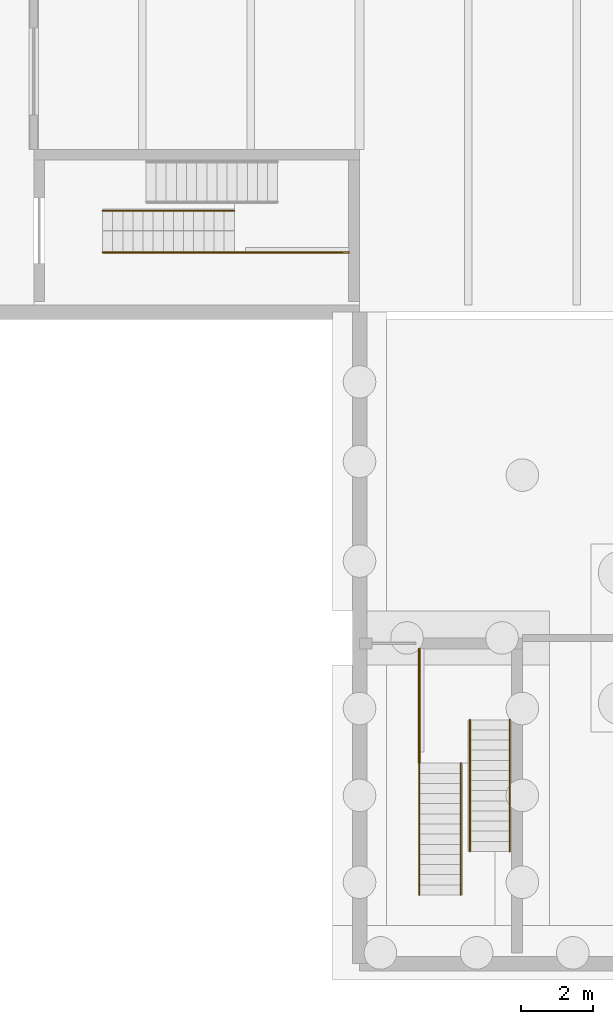
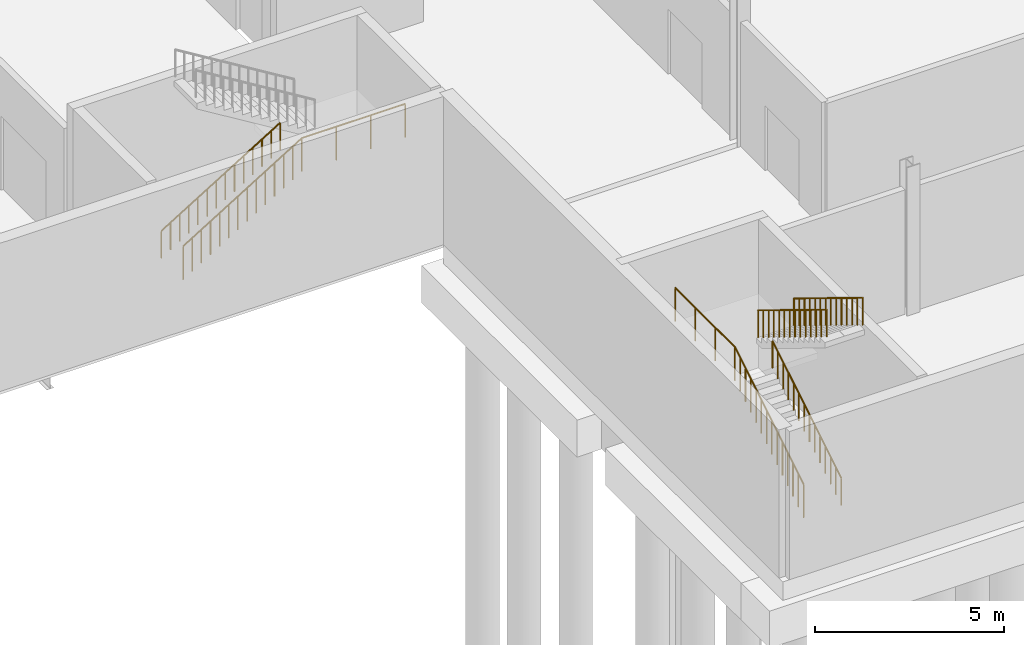
# One storey, part 27 of 31: 8 railings.
"""IFC4 building model written with IfcOpenShell, lengths in metres."""

import ifcopenshell
import ifcopenshell.guid

model = None  # the IFC model being written
_history = None  # IfcOwnerHistory: only IFC2X3 demands one
_inside = {}  # id of a spatial element -> (the spatial element, [elements in it])
_under = {}  # id of a project, library or spatial element -> (it, [spatial elements below it])
_declared = {}  # id of a project -> (the project, [libraries it declares])
_typed = {}  # id of a type object -> (the type object, [elements of that type])
_made_of = {}  # id of a material, layer set ... -> (it, [elements and type objects made of it])


def new_model(schema):
    """Start an empty IFC model of exactly this schema.

    Asked for "IFC4X3", IfcOpenShell would pick the latest addendum, in which some entities
    have other attributes; the version numbers below select the first issue.
    IFC2X3 requires an IfcOwnerHistory on every rooted entity: one is made here for all.
    """
    global model, _history
    if schema == "IFC4X3":
        model = ifcopenshell.file(schema_version=(4, 3, 0, 0))
    else:
        model = ifcopenshell.file(schema=schema)
    _inside.clear()
    _under.clear()
    _declared.clear()
    _typed.clear()
    _made_of.clear()
    _history = None
    if model.schema == "IFC2X3":
        org = make("IfcOrganization", Name="unknown")
        user = make(
            "IfcPersonAndOrganization",
            ThePerson=make("IfcPerson", FamilyName="unknown"),
            TheOrganization=org,
        )
        app = make(
            "IfcApplication",
            ApplicationDeveloper=org,
            Version="unknown",
            ApplicationFullName="unknown",
            ApplicationIdentifier="unknown",
        )
        _history = make(
            "IfcOwnerHistory",
            OwningUser=user,
            OwningApplication=app,
            ChangeAction="ADDED",
            CreationDate=0,
        )
    return model


def make(cls, **values):
    """One entity of the class cls with the attributes given. An attribute that is None is left unset."""
    return model.create_entity(
        cls, **{name: value for name, value in values.items() if value is not None}
    )


def rooted(cls, **values):
    """An entity with a GlobalId (a new one), such as an element, a storey or a relation."""
    return make(cls, GlobalId=ifcopenshell.guid.new(), OwnerHistory=_history, **values)


def si_unit(unit_type, name, prefix=None):
    """IfcSIUnit, for example si_unit("LENGTHUNIT", "METRE", prefix="MILLI")."""
    return make("IfcSIUnit", UnitType=unit_type, Prefix=prefix, Name=name)


def assignment(units):
    """IfcUnitAssignment: the units of a project."""
    return None if units is None else make("IfcUnitAssignment", Units=units)


def point(xyz):
    """IfcCartesianPoint."""
    return None if xyz is None else make("IfcCartesianPoint", Coordinates=xyz)


def direction(xyz):
    """IfcDirection."""
    return None if xyz is None else make("IfcDirection", DirectionRatios=xyz)


def frame(location, z_axis=None, x_axis=None):
    """IfcAxis2Placement3D, a coordinate frame: its origin and axes. An axis left out is left unset."""
    return make(
        "IfcAxis2Placement3D",
        Location=point(location),
        Axis=direction(z_axis),
        RefDirection=direction(x_axis),
    )


def frame_2d(location, x_axis=None):
    """IfcAxis2Placement2D, a coordinate frame in the plane: its origin and x axis."""
    return make(
        "IfcAxis2Placement2D", Location=point(location), RefDirection=direction(x_axis)
    )


def origin():
    """The frame at (0, 0, 0) with its axes left unset."""
    return frame((0.0, 0.0, 0.0))


def origin_2d():
    """The frame at (0, 0) in the plane with its x axis left unset."""
    return frame_2d((0.0, 0.0))


def place(relative_to, where):
    """IfcLocalPlacement: puts the frame where relative to a parent placement (None: the world)."""
    return make(
        "IfcLocalPlacement", PlacementRelTo=relative_to, RelativePlacement=where
    )


def context(
    kind, dimensions, precision=None, world=None, true_north=None, identifier=None
):
    """IfcGeometricRepresentationContext, for example the 3D "Model" context."""
    return make(
        "IfcGeometricRepresentationContext",
        ContextIdentifier=identifier,
        ContextType=kind,
        CoordinateSpaceDimension=dimensions,
        Precision=precision,
        WorldCoordinateSystem=world,
        TrueNorth=true_north,
    )


def subcontext(parent, identifier, kind, view, scale=None):
    """IfcGeometricRepresentationSubContext, for example "Body" below "Model"."""
    return make(
        "IfcGeometricRepresentationSubContext",
        ContextIdentifier=identifier,
        ContextType=kind,
        ParentContext=parent,
        TargetScale=scale,
        TargetView=view,
    )


def project(units=None, contexts=None):
    """IfcProject with its units and contexts."""
    return rooted(
        "IfcProject",
        Name="project",
        RepresentationContexts=contexts,
        UnitsInContext=assignment(units),
    )


def spatial(cls, under=None, at=None, **own):
    """A site, building, storey or space (cls), placed at a placement, below another one or the project."""
    s = rooted(cls, ObjectPlacement=at, **own)
    if under is not None:
        _under.setdefault(under.id(), (under, []))[1].append(s)
    return s


def profile(cls, at=None, kind="AREA", **sizes):
    """A parametric profile (cls). Its sizes go by their IFC names, for example OverallWidth=200.0."""
    return make(cls, ProfileType=kind, Position=at, **sizes)


def circle(**sizes):
    """IfcCircleProfileDef."""
    return profile("IfcCircleProfileDef", **sizes)


def extrude(swept, where, along, depth):
    """IfcExtrudedAreaSolid: the profile swept, set in the frame where, extruded along a direction by depth."""
    return make(
        "IfcExtrudedAreaSolid",
        SweptArea=swept,
        Position=where,
        ExtrudedDirection=direction(along),
        Depth=depth,
    )


def shape(context_of_items, identifier, shape_type, items):
    """IfcShapeRepresentation: the items that make up one representation, for example the "Body"."""
    return make(
        "IfcShapeRepresentation",
        ContextOfItems=context_of_items,
        RepresentationIdentifier=identifier,
        RepresentationType=shape_type,
        Items=items,
    )


def material(Name=None, Category=None):
    """IfcMaterial."""
    return make("IfcMaterial", Name=Name, Category=Category)


def made_of(thing, what):
    """Note that an element or type object is made of a material, layer set ...; save() writes the relation."""
    if what is not None:
        _made_of.setdefault(what.id(), (what, []))[1].append(thing)
    return thing


def type_object(cls, material=None, **own):
    """A type object (cls), such as IfcWallType, which elements share."""
    return made_of(rooted(cls, **own), material)


def element(
    cls,
    number,
    at=None,
    inside=None,
    cuts=None,
    type_object=None,
    material=None,
    context=None,
    identifier="Body",
    shape_type=None,
    held_by="IfcProductDefinitionShape",
    body=None,
    shapes=None,
    **own,
):
    """One element of the class cls, such as IfcWall. Its Tag is "e" and its number.

    at: its placement. inside: the storey or other place that contains it. cuts: it is an
    opening in that element (IfcRelVoidsElement). A single representation is given by context,
    identifier, shape_type and body (its items); several are given by shapes. held_by: the class
    of the entity that holds the representations. save() writes the other relations.
    """
    e = rooted(cls, Tag="e%d" % number, ObjectPlacement=at, **own)
    if body is not None:
        shapes = [shape(context, identifier, shape_type, body)]
    if shapes is not None:
        e.Representation = make(held_by, Representations=shapes)
    if inside is not None:
        _inside.setdefault(inside.id(), (inside, []))[1].append(e)
    if cuts is not None:
        rooted(
            "IfcRelVoidsElement", RelatingBuildingElement=cuts, RelatedOpeningElement=e
        )
    if type_object is not None:
        _typed.setdefault(type_object.id(), (type_object, []))[1].append(e)
    return made_of(e, material)


def aggregate(whole, parts):
    """IfcRelAggregates: a whole, such as a stair, and the parts it consists of."""
    return rooted("IfcRelAggregates", RelatingObject=whole, RelatedObjects=parts)


def save(model, path):
    """Write the relations noted so far, then the file.

    IfcRelAggregates (storeys below a building ...), IfcRelContainedInSpatialStructure (elements
    in a storey), IfcRelDefinesByType, IfcRelAssociatesMaterial and IfcRelDeclares: one each for
    every whole, place, type object, material and project.
    """
    for whole, parts in _under.values():
        aggregate(whole, parts)
    for where, things in _inside.values():
        rooted(
            "IfcRelContainedInSpatialStructure",
            RelatedElements=things,
            RelatingStructure=where,
        )
    for kind, things in _typed.values():
        rooted("IfcRelDefinesByType", RelatedObjects=things, RelatingType=kind)
    for what, things in _made_of.values():
        rooted("IfcRelAssociatesMaterial", RelatedObjects=things, RelatingMaterial=what)
    for by, libraries in _declared.values():
        rooted("IfcRelDeclares", RelatingContext=by, RelatedDefinitions=libraries)
    model.write(path)


model = new_model("IFC4")

# Units and contexts
model_context = context("Model", 3, precision=1e-05, world=origin(), true_north=direction((0.0, 1.0)))
body_context = subcontext(model_context, "Body", "Model", "MODEL_VIEW")
ifc_project = project(units=[si_unit("LENGTHUNIT", "METRE"), si_unit("AREAUNIT", "SQUARE_METRE"), si_unit("VOLUMEUNIT", "CUBIC_METRE"), si_unit("PLANEANGLEUNIT", "RADIAN"), si_unit("MASSUNIT", "GRAM", prefix="KILO")], contexts=[model_context])

# Site, building, storey
site_placement = place(None, origin())
site = spatial("IfcSite", under=ifc_project, at=site_placement, CompositionType="ELEMENT")
building_placement = place(site_placement, origin())
building = spatial("IfcBuilding", under=site, at=building_placement, Name="Halyard Row Museum", CompositionType="ELEMENT")
storey_placement = place(building_placement, frame((0.0, 0.0, -4.800048828125)))
storey = spatial("IfcBuildingStorey", under=building, at=storey_placement, Name="B1", CompositionType="ELEMENT", Elevation=-4.800048828125)

# Railings
ifc_material_1 = material(Name="Steel Grade 300", Category="steel")
railing_type_1 = type_object("IfcRailingType", Name="Guard GR2 steel balustrade 1100", PredefinedType="GUARDRAIL", material=ifc_material_1)
railing_1_placement = place(storey_placement, frame((64.89990234375, 19.64990234375, 0.17138671875)))
element("IfcRailing", 1, at=railing_1_placement, inside=storey, type_object=railing_type_1, Name="Guard GR019", PredefinedType="GUARDRAIL", context=body_context, shape_type="SweptSolid", body=[
    extrude(circle(Radius=0.02392578125, at=origin_2d()), frame((0.0, 0.0, 1.076171875), z_axis=(0.852601252411, 0.0, 0.522562057929), x_axis=(0.0, 1.0, 0.0)), (0.0, 0.0, 1.0), 0.328369140625),
    extrude(circle(Radius=0.02392578125, at=origin_2d()), frame((0.280029296875, 0.0, 1.24755859375), z_axis=(0.852932391421, 0.0, 0.522021393877), x_axis=(0.0, 1.0, 0.0)), (0.0, 0.0, 1.0), 0.328369140625),
    extrude(circle(Radius=0.02392578125, at=origin_2d()), frame((0.56005859375, 0.0, 1.4189453125), z_axis=(0.852932391421, 0.0, 0.522021393877), x_axis=(0.0, 1.0, 0.0)), (0.0, 0.0, 1.0), 0.328369140625),
    extrude(circle(Radius=0.02392578125, at=origin_2d()), frame((0.840087890625, 0.0, 1.59033203125), z_axis=(0.852932391421, 0.0, 0.522021393877), x_axis=(0.0, 1.0, 0.0)), (0.0, 0.0, 1.0), 0.328369140625),
    extrude(circle(Radius=0.02392578125, at=origin_2d()), frame((1.1201171875, 0.0, 1.76171875), z_axis=(0.852932391421, 0.0, 0.522021393877), x_axis=(0.0, 1.0, 0.0)), (0.0, 0.0, 1.0), 0.328369140625),
    extrude(circle(Radius=0.02392578125, at=origin_2d()), frame((1.400146484375, 0.0, 1.93310546875), z_axis=(0.852932391421, 0.0, 0.522021393877), x_axis=(0.0, 1.0, 0.0)), (0.0, 0.0, 1.0), 0.328369140625),
    extrude(circle(Radius=0.02392578125, at=origin_2d()), frame((1.68017578125, 0.0, 2.1044921875), z_axis=(0.852601252411, 0.0, 0.522562057929), x_axis=(0.0, 1.0, 0.0)), (0.0, 0.0, 1.0), 0.328369140625),
    extrude(circle(Radius=0.02392578125, at=origin_2d()), frame((1.960205078125, 0.0, 2.2763671875), z_axis=(0.852729557261, 0.0, 0.522352660731), x_axis=(0.0, 1.0, 0.0)), (0.0, 0.0, 1.0), 0.328125),
    extrude(circle(Radius=0.02392578125, at=origin_2d()), frame((2.239990234375, 0.0, 2.44775390625), z_axis=(0.852932391421, 0.0, 0.522021393877), x_axis=(0.0, 1.0, 0.0)), (0.0, 0.0, 1.0), 0.328369140625),
    extrude(circle(Radius=0.02392578125, at=origin_2d()), frame((2.52001953125, 0.0, 2.619140625), z_axis=(0.852932391421, 0.0, 0.522021393877), x_axis=(0.0, 1.0, 0.0)), (0.0, 0.0, 1.0), 0.328369140625),
    extrude(circle(Radius=0.02392578125, at=origin_2d()), frame((2.800048828125, 0.0, 2.79052734375), z_axis=(0.852932391421, 0.0, 0.522021393877), x_axis=(0.0, 1.0, 0.0)), (0.0, 0.0, 1.0), 0.328369140625),
    extrude(circle(Radius=0.02392578125, at=origin_2d()), frame((3.080078125, 0.0, 2.9619140625), z_axis=(0.852932391421, 0.0, 0.522021393877), x_axis=(0.0, 1.0, 0.0)), (0.0, 0.0, 1.0), 0.328369140625),
    extrude(circle(Radius=0.02392578125, at=origin_2d()), frame((3.360107421875, 0.0, 3.13330078125), z_axis=(0.852601252411, 0.0, 0.522562057929), x_axis=(0.0, 1.0, 0.0)), (0.0, 0.0, 1.0), 0.328369140625),
    extrude(circle(Radius=0.02099609375, at=origin_2d()), origin(), (0.0, 0.0, 1.0), 1.052001953125),
    extrude(circle(Radius=0.02099609375, at=origin_2d()), frame((0.280029296875, 0.0, 0.171630859375)), (0.0, 0.0, 1.0), 1.052001953125),
    extrude(circle(Radius=0.02099609375, at=origin_2d()), frame((0.56005859375, 0.0, 0.343017578125)), (0.0, 0.0, 1.0), 1.052001953125),
    extrude(circle(Radius=0.02099609375, at=origin_2d()), frame((0.840087890625, 0.0, 0.514404296875)), (0.0, 0.0, 1.0), 1.052001953125),
    extrude(circle(Radius=0.02099609375, at=origin_2d()), frame((1.1201171875, 0.0, 0.685791015625)), (0.0, 0.0, 1.0), 1.052001953125),
    extrude(circle(Radius=0.02099609375, at=origin_2d()), frame((1.400146484375, 0.0, 0.857177734375)), (0.0, 0.0, 1.0), 1.052001953125),
    extrude(circle(Radius=0.02099609375, at=origin_2d()), frame((1.68017578125, 0.0, 1.028564453125)), (0.0, 0.0, 1.0), 1.052001953125),
    extrude(circle(Radius=0.02099609375, at=origin_2d()), frame((1.960205078125, 0.0, 1.2001953125)), (0.0, 0.0, 1.0), 1.052001953125),
    extrude(circle(Radius=0.02099609375, at=origin_2d()), frame((2.239990234375, 0.0, 1.37158203125)), (0.0, 0.0, 1.0), 1.052001953125),
    extrude(circle(Radius=0.02099609375, at=origin_2d()), frame((2.52001953125, 0.0, 1.54296875)), (0.0, 0.0, 1.0), 1.052001953125),
    extrude(circle(Radius=0.02099609375, at=origin_2d()), frame((2.800048828125, 0.0, 1.71435546875)), (0.0, 0.0, 1.0), 1.052001953125),
    extrude(circle(Radius=0.02099609375, at=origin_2d()), frame((3.080078125, 0.0, 1.8857421875)), (0.0, 0.0, 1.0), 1.052001953125),
    extrude(circle(Radius=0.02099609375, at=origin_2d()), frame((3.360107421875, 0.0, 2.05712890625)), (0.0, 0.0, 1.0), 1.052001953125),
    extrude(circle(Radius=0.02099609375, at=origin_2d()), frame((3.64013671875, 0.0, 2.228759765625)), (0.0, 0.0, 1.0), 1.052001953125),
])
railing_2_placement = place(storey_placement, frame((68.5400390625, 19.64990234375, 2.400146484375)))
element("IfcRailing", 2, at=railing_2_placement, inside=storey, type_object=railing_type_1, Name="Guard GR020", PredefinedType="GUARDRAIL", context=body_context, shape_type="SweptSolid", body=[
    extrude(circle(Radius=0.02392578125, at=origin_2d()), frame((0.0, 0.0, 1.076171875), z_axis=(1.0, 0.0, 0.0), x_axis=(0.0, 1.0, 0.0)), (0.0, 0.0, 1.0), 3.159912109375),
    extrude(circle(Radius=0.02099609375, at=origin_2d()), origin(), (0.0, 0.0, 1.0), 1.052001953125),
    extrude(circle(Radius=0.02099609375, at=origin_2d()), frame((1.05322265625, 0.0, 0.0)), (0.0, 0.0, 1.0), 1.052001953125),
    extrude(circle(Radius=0.02099609375, at=origin_2d()), frame((2.106689453125, 0.0, 0.0)), (0.0, 0.0, 1.0), 1.052001953125),
    extrude(circle(Radius=0.02099609375, at=origin_2d()), frame((3.159912109375, 0.0, 0.0)), (0.0, 0.0, 1.0), 1.052001953125),
])
railing_3_placement = place(storey_placement, frame((73.64990234375, 1.89990234375, 0.17138671875)))
element("IfcRailing", 3, at=railing_3_placement, inside=storey, type_object=railing_type_1, Name="Guard GR037", PredefinedType="GUARDRAIL", context=body_context, shape_type="SweptSolid", body=[
    extrude(circle(Radius=0.02392578125, at=origin_2d()), frame((0.0, 0.0, 1.076171875), z_axis=(0.0, 0.852601252411, 0.522562057929), x_axis=(-1.0, 0.0, 0.0)), (0.0, 0.0, 1.0), 0.328369140625),
    extrude(circle(Radius=0.02392578125, at=origin_2d()), frame((0.0, 0.280029296875, 1.24755859375), z_axis=(0.0, 0.852932391421, 0.522021393877), x_axis=(-1.0, 0.0, 0.0)), (0.0, 0.0, 1.0), 0.328369140625),
    extrude(circle(Radius=0.02392578125, at=origin_2d()), frame((0.0, 0.56005859375, 1.4189453125), z_axis=(0.0, 0.852932391421, 0.522021393877), x_axis=(-1.0, 0.0, 0.0)), (0.0, 0.0, 1.0), 0.328369140625),
    extrude(circle(Radius=0.02392578125, at=origin_2d()), frame((0.0, 0.840087890625, 1.59033203125), z_axis=(0.0, 0.852932391421, 0.522021393877), x_axis=(-1.0, 0.0, 0.0)), (0.0, 0.0, 1.0), 0.328369140625),
    extrude(circle(Radius=0.02392578125, at=origin_2d()), frame((0.0, 1.1201171875, 1.76171875), z_axis=(0.0, 0.852932391421, 0.522021393877), x_axis=(-1.0, 0.0, 0.0)), (0.0, 0.0, 1.0), 0.328369140625),
    extrude(circle(Radius=0.02392578125, at=origin_2d()), frame((0.0, 1.400146484375, 1.93310546875), z_axis=(0.0, 0.852932391421, 0.522021393877), x_axis=(-1.0, 0.0, 0.0)), (0.0, 0.0, 1.0), 0.328369140625),
    extrude(circle(Radius=0.02392578125, at=origin_2d()), frame((0.0, 1.68017578125, 2.1044921875), z_axis=(0.0, 0.852601252411, 0.522562057929), x_axis=(-1.0, 0.0, 0.0)), (0.0, 0.0, 1.0), 0.328369140625),
    extrude(circle(Radius=0.02392578125, at=origin_2d()), frame((0.0, 1.960205078125, 2.2763671875), z_axis=(0.0, 0.852729557261, 0.522352660731), x_axis=(-1.0, 0.0, 0.0)), (0.0, 0.0, 1.0), 0.328125),
    extrude(circle(Radius=0.02392578125, at=origin_2d()), frame((0.0, 2.239990234375, 2.44775390625), z_axis=(0.0, 0.852932391421, 0.522021393877), x_axis=(-1.0, 0.0, 0.0)), (0.0, 0.0, 1.0), 0.328369140625),
    extrude(circle(Radius=0.02392578125, at=origin_2d()), frame((0.0, 2.52001953125, 2.619140625), z_axis=(0.0, 0.852932391421, 0.522021393877), x_axis=(-1.0, 0.0, 0.0)), (0.0, 0.0, 1.0), 0.328369140625),
    extrude(circle(Radius=0.02392578125, at=origin_2d()), frame((0.0, 2.800048828125, 2.79052734375), z_axis=(0.0, 0.852932391421, 0.522021393877), x_axis=(-1.0, 0.0, 0.0)), (0.0, 0.0, 1.0), 0.328369140625),
    extrude(circle(Radius=0.02392578125, at=origin_2d()), frame((0.0, 3.080078125, 2.9619140625), z_axis=(0.0, 0.852932391421, 0.522021393877), x_axis=(-1.0, 0.0, 0.0)), (0.0, 0.0, 1.0), 0.328369140625),
    extrude(circle(Radius=0.02392578125, at=origin_2d()), frame((0.0, 3.360107421875, 3.13330078125), z_axis=(0.0, 0.852601252411, 0.522562057929), x_axis=(-1.0, 0.0, 0.0)), (0.0, 0.0, 1.0), 0.328369140625),
    extrude(circle(Radius=0.02099609375, at=origin_2d()), origin(), (0.0, 0.0, 1.0), 1.052001953125),
    extrude(circle(Radius=0.02099609375, at=origin_2d()), frame((0.0, 0.280029296875, 0.171630859375)), (0.0, 0.0, 1.0), 1.052001953125),
    extrude(circle(Radius=0.02099609375, at=origin_2d()), frame((0.0, 0.56005859375, 0.343017578125)), (0.0, 0.0, 1.0), 1.052001953125),
    extrude(circle(Radius=0.02099609375, at=origin_2d()), frame((0.0, 0.840087890625, 0.514404296875)), (0.0, 0.0, 1.0), 1.052001953125),
    extrude(circle(Radius=0.02099609375, at=origin_2d()), frame((0.0, 1.1201171875, 0.685791015625)), (0.0, 0.0, 1.0), 1.052001953125),
    extrude(circle(Radius=0.02099609375, at=origin_2d()), frame((0.0, 1.400146484375, 0.857177734375)), (0.0, 0.0, 1.0), 1.052001953125),
    extrude(circle(Radius=0.02099609375, at=origin_2d()), frame((0.0, 1.68017578125, 1.028564453125)), (0.0, 0.0, 1.0), 1.052001953125),
    extrude(circle(Radius=0.02099609375, at=origin_2d()), frame((0.0, 1.960205078125, 1.2001953125)), (0.0, 0.0, 1.0), 1.052001953125),
    extrude(circle(Radius=0.02099609375, at=origin_2d()), frame((0.0, 2.239990234375, 1.37158203125)), (0.0, 0.0, 1.0), 1.052001953125),
    extrude(circle(Radius=0.02099609375, at=origin_2d()), frame((0.0, 2.52001953125, 1.54296875)), (0.0, 0.0, 1.0), 1.052001953125),
    extrude(circle(Radius=0.02099609375, at=origin_2d()), frame((0.0, 2.800048828125, 1.71435546875)), (0.0, 0.0, 1.0), 1.052001953125),
    extrude(circle(Radius=0.02099609375, at=origin_2d()), frame((0.0, 3.080078125, 1.8857421875)), (0.0, 0.0, 1.0), 1.052001953125),
    extrude(circle(Radius=0.02099609375, at=origin_2d()), frame((0.0, 3.360107421875, 2.05712890625)), (0.0, 0.0, 1.0), 1.052001953125),
    extrude(circle(Radius=0.02099609375, at=origin_2d()), frame((0.0, 3.64013671875, 2.228759765625)), (0.0, 0.0, 1.0), 1.052001953125),
])
railing_4_placement = place(storey_placement, frame((73.64990234375, 5.5400390625, 2.400146484375)))
element("IfcRailing", 4, at=railing_4_placement, inside=storey, type_object=railing_type_1, Name="Guard GR038", PredefinedType="GUARDRAIL", context=body_context, shape_type="SweptSolid", body=[
    extrude(circle(Radius=0.02392578125, at=origin_2d()), frame((0.0, 0.0, 1.076171875), z_axis=(0.0, 1.0, 0.0), x_axis=(-1.0, 0.0, 0.0)), (0.0, 0.0, 1.0), 3.159912109375),
    extrude(circle(Radius=0.02099609375, at=origin_2d()), origin(), (0.0, 0.0, 1.0), 1.052001953125),
    extrude(circle(Radius=0.02099609375, at=origin_2d()), frame((0.0, 1.05322265625, 0.0)), (0.0, 0.0, 1.0), 1.052001953125),
    extrude(circle(Radius=0.02099609375, at=origin_2d()), frame((0.0, 2.106689453125, 0.0)), (0.0, 0.0, 1.0), 1.052001953125),
    extrude(circle(Radius=0.02099609375, at=origin_2d()), frame((0.0, 3.159912109375, 0.0)), (0.0, 0.0, 1.0), 1.052001953125),
])
ifc_material_2 = material(Name="Steel Grade 300", Category="steel")
railing_type_2 = type_object("IfcRailingType", Name="Handrail HR2 steel 900", PredefinedType="HANDRAIL", material=ifc_material_2)
railing_5_placement = place(storey_placement, frame((64.89990234375, 20.800048828125, 0.17138671875)))
element("IfcRailing", 5, at=railing_5_placement, inside=storey, type_object=railing_type_2, Name="Handrail HR028", PredefinedType="HANDRAIL", context=body_context, shape_type="SweptSolid", body=[
    extrude(circle(Radius=0.02392578125, at=origin_2d()), frame((0.0, 0.0, 0.8759765625), z_axis=(0.852601252411, 0.0, 0.522562057929), x_axis=(0.0, 1.0, 0.0)), (0.0, 0.0, 1.0), 0.328369140625),
    extrude(circle(Radius=0.02392578125, at=origin_2d()), frame((0.280029296875, 0.0, 1.04736328125), z_axis=(0.852932391421, 0.0, 0.522021393877), x_axis=(0.0, 1.0, 0.0)), (0.0, 0.0, 1.0), 0.328369140625),
    extrude(circle(Radius=0.02392578125, at=origin_2d()), frame((0.56005859375, 0.0, 1.21875), z_axis=(0.852932391421, 0.0, 0.522021393877), x_axis=(0.0, 1.0, 0.0)), (0.0, 0.0, 1.0), 0.328369140625),
    extrude(circle(Radius=0.02392578125, at=origin_2d()), frame((0.840087890625, 0.0, 1.39013671875), z_axis=(0.852932391421, 0.0, 0.522021393877), x_axis=(0.0, 1.0, 0.0)), (0.0, 0.0, 1.0), 0.328369140625),
    extrude(circle(Radius=0.02392578125, at=origin_2d()), frame((1.1201171875, 0.0, 1.5615234375), z_axis=(0.852932391421, 0.0, 0.522021393877), x_axis=(0.0, 1.0, 0.0)), (0.0, 0.0, 1.0), 0.328369140625),
    extrude(circle(Radius=0.02392578125, at=origin_2d()), frame((1.400146484375, 0.0, 1.73291015625), z_axis=(0.852932391421, 0.0, 0.522021393877), x_axis=(0.0, 1.0, 0.0)), (0.0, 0.0, 1.0), 0.328369140625),
    extrude(circle(Radius=0.02392578125, at=origin_2d()), frame((1.68017578125, 0.0, 1.904296875), z_axis=(0.852601252411, 0.0, 0.522562057929), x_axis=(0.0, 1.0, 0.0)), (0.0, 0.0, 1.0), 0.328369140625),
    extrude(circle(Radius=0.02392578125, at=origin_2d()), frame((1.960205078125, 0.0, 2.076171875), z_axis=(0.852729557261, 0.0, 0.522352660731), x_axis=(0.0, 1.0, 0.0)), (0.0, 0.0, 1.0), 0.328125),
    extrude(circle(Radius=0.02392578125, at=origin_2d()), frame((2.239990234375, 0.0, 2.24755859375), z_axis=(0.852932391421, 0.0, 0.522021393877), x_axis=(0.0, 1.0, 0.0)), (0.0, 0.0, 1.0), 0.328369140625),
    extrude(circle(Radius=0.02392578125, at=origin_2d()), frame((2.52001953125, 0.0, 2.4189453125), z_axis=(0.852932391421, 0.0, 0.522021393877), x_axis=(0.0, 1.0, 0.0)), (0.0, 0.0, 1.0), 0.328369140625),
    extrude(circle(Radius=0.02392578125, at=origin_2d()), frame((2.800048828125, 0.0, 2.59033203125), z_axis=(0.852932391421, 0.0, 0.522021393877), x_axis=(0.0, 1.0, 0.0)), (0.0, 0.0, 1.0), 0.328369140625),
    extrude(circle(Radius=0.02392578125, at=origin_2d()), frame((3.080078125, 0.0, 2.76171875), z_axis=(0.852932391421, 0.0, 0.522021393877), x_axis=(0.0, 1.0, 0.0)), (0.0, 0.0, 1.0), 0.328369140625),
    extrude(circle(Radius=0.02392578125, at=origin_2d()), frame((3.360107421875, 0.0, 2.93310546875), z_axis=(0.852601252411, 0.0, 0.522562057929), x_axis=(0.0, 1.0, 0.0)), (0.0, 0.0, 1.0), 0.328369140625),
    extrude(circle(Radius=0.02099609375, at=origin_2d()), origin(), (0.0, 0.0, 1.0), 0.851806640625),
    extrude(circle(Radius=0.02099609375, at=origin_2d()), frame((0.280029296875, 0.0, 0.171630859375)), (0.0, 0.0, 1.0), 0.851806640625),
    extrude(circle(Radius=0.02099609375, at=origin_2d()), frame((0.56005859375, 0.0, 0.343017578125)), (0.0, 0.0, 1.0), 0.851806640625),
    extrude(circle(Radius=0.02099609375, at=origin_2d()), frame((0.840087890625, 0.0, 0.514404296875)), (0.0, 0.0, 1.0), 0.851806640625),
    extrude(circle(Radius=0.02099609375, at=origin_2d()), frame((1.1201171875, 0.0, 0.685791015625)), (0.0, 0.0, 1.0), 0.851806640625),
    extrude(circle(Radius=0.02099609375, at=origin_2d()), frame((1.400146484375, 0.0, 0.857177734375)), (0.0, 0.0, 1.0), 0.851806640625),
    extrude(circle(Radius=0.02099609375, at=origin_2d()), frame((1.68017578125, 0.0, 1.028564453125)), (0.0, 0.0, 1.0), 0.851806640625),
    extrude(circle(Radius=0.02099609375, at=origin_2d()), frame((1.960205078125, 0.0, 1.2001953125)), (0.0, 0.0, 1.0), 0.851806640625),
    extrude(circle(Radius=0.02099609375, at=origin_2d()), frame((2.239990234375, 0.0, 1.37158203125)), (0.0, 0.0, 1.0), 0.851806640625),
    extrude(circle(Radius=0.02099609375, at=origin_2d()), frame((2.52001953125, 0.0, 1.54296875)), (0.0, 0.0, 1.0), 0.851806640625),
    extrude(circle(Radius=0.02099609375, at=origin_2d()), frame((2.800048828125, 0.0, 1.71435546875)), (0.0, 0.0, 1.0), 0.851806640625),
    extrude(circle(Radius=0.02099609375, at=origin_2d()), frame((3.080078125, 0.0, 1.8857421875)), (0.0, 0.0, 1.0), 0.851806640625),
    extrude(circle(Radius=0.02099609375, at=origin_2d()), frame((3.360107421875, 0.0, 2.05712890625)), (0.0, 0.0, 1.0), 0.851806640625),
    extrude(circle(Radius=0.02099609375, at=origin_2d()), frame((3.64013671875, 0.0, 2.228759765625)), (0.0, 0.0, 1.0), 0.851806640625),
])
railing_6_placement = place(storey_placement, frame((74.800048828125, 1.89990234375, 0.17138671875)))
element("IfcRailing", 6, at=railing_6_placement, inside=storey, type_object=railing_type_2, Name="Handrail HR055", PredefinedType="HANDRAIL", context=body_context, shape_type="SweptSolid", body=[
    extrude(circle(Radius=0.02392578125, at=origin_2d()), frame((0.0, 0.0, 0.8759765625), z_axis=(0.0, 0.852601252411, 0.522562057929), x_axis=(-1.0, 0.0, 0.0)), (0.0, 0.0, 1.0), 0.328369140625),
    extrude(circle(Radius=0.02392578125, at=origin_2d()), frame((0.0, 0.280029296875, 1.04736328125), z_axis=(0.0, 0.852932391421, 0.522021393877), x_axis=(-1.0, 0.0, 0.0)), (0.0, 0.0, 1.0), 0.328369140625),
    extrude(circle(Radius=0.02392578125, at=origin_2d()), frame((0.0, 0.56005859375, 1.21875), z_axis=(0.0, 0.852932391421, 0.522021393877), x_axis=(-1.0, 0.0, 0.0)), (0.0, 0.0, 1.0), 0.328369140625),
    extrude(circle(Radius=0.02392578125, at=origin_2d()), frame((0.0, 0.840087890625, 1.39013671875), z_axis=(0.0, 0.852932391421, 0.522021393877), x_axis=(-1.0, 0.0, 0.0)), (0.0, 0.0, 1.0), 0.328369140625),
    extrude(circle(Radius=0.02392578125, at=origin_2d()), frame((0.0, 1.1201171875, 1.5615234375), z_axis=(0.0, 0.852932391421, 0.522021393877), x_axis=(-1.0, 0.0, 0.0)), (0.0, 0.0, 1.0), 0.328369140625),
    extrude(circle(Radius=0.02392578125, at=origin_2d()), frame((0.0, 1.400146484375, 1.73291015625), z_axis=(0.0, 0.852932391421, 0.522021393877), x_axis=(-1.0, 0.0, 0.0)), (0.0, 0.0, 1.0), 0.328369140625),
    extrude(circle(Radius=0.02392578125, at=origin_2d()), frame((0.0, 1.68017578125, 1.904296875), z_axis=(0.0, 0.852601252411, 0.522562057929), x_axis=(-1.0, 0.0, 0.0)), (0.0, 0.0, 1.0), 0.328369140625),
    extrude(circle(Radius=0.02392578125, at=origin_2d()), frame((0.0, 1.960205078125, 2.076171875), z_axis=(0.0, 0.852729557261, 0.522352660731), x_axis=(-1.0, 0.0, 0.0)), (0.0, 0.0, 1.0), 0.328125),
    extrude(circle(Radius=0.02392578125, at=origin_2d()), frame((0.0, 2.239990234375, 2.24755859375), z_axis=(0.0, 0.852932391421, 0.522021393877), x_axis=(-1.0, 0.0, 0.0)), (0.0, 0.0, 1.0), 0.328369140625),
    extrude(circle(Radius=0.02392578125, at=origin_2d()), frame((0.0, 2.52001953125, 2.4189453125), z_axis=(0.0, 0.852932391421, 0.522021393877), x_axis=(-1.0, 0.0, 0.0)), (0.0, 0.0, 1.0), 0.328369140625),
    extrude(circle(Radius=0.02392578125, at=origin_2d()), frame((0.0, 2.800048828125, 2.59033203125), z_axis=(0.0, 0.852932391421, 0.522021393877), x_axis=(-1.0, 0.0, 0.0)), (0.0, 0.0, 1.0), 0.328369140625),
    extrude(circle(Radius=0.02392578125, at=origin_2d()), frame((0.0, 3.080078125, 2.76171875), z_axis=(0.0, 0.852932391421, 0.522021393877), x_axis=(-1.0, 0.0, 0.0)), (0.0, 0.0, 1.0), 0.328369140625),
    extrude(circle(Radius=0.02392578125, at=origin_2d()), frame((0.0, 3.360107421875, 2.93310546875), z_axis=(0.0, 0.852601252411, 0.522562057929), x_axis=(-1.0, 0.0, 0.0)), (0.0, 0.0, 1.0), 0.328369140625),
    extrude(circle(Radius=0.02099609375, at=origin_2d()), origin(), (0.0, 0.0, 1.0), 0.851806640625),
    extrude(circle(Radius=0.02099609375, at=origin_2d()), frame((0.0, 0.280029296875, 0.171630859375)), (0.0, 0.0, 1.0), 0.851806640625),
    extrude(circle(Radius=0.02099609375, at=origin_2d()), frame((0.0, 0.56005859375, 0.343017578125)), (0.0, 0.0, 1.0), 0.851806640625),
    extrude(circle(Radius=0.02099609375, at=origin_2d()), frame((0.0, 0.840087890625, 0.514404296875)), (0.0, 0.0, 1.0), 0.851806640625),
    extrude(circle(Radius=0.02099609375, at=origin_2d()), frame((0.0, 1.1201171875, 0.685791015625)), (0.0, 0.0, 1.0), 0.851806640625),
    extrude(circle(Radius=0.02099609375, at=origin_2d()), frame((0.0, 1.400146484375, 0.857177734375)), (0.0, 0.0, 1.0), 0.851806640625),
    extrude(circle(Radius=0.02099609375, at=origin_2d()), frame((0.0, 1.68017578125, 1.028564453125)), (0.0, 0.0, 1.0), 0.851806640625),
    extrude(circle(Radius=0.02099609375, at=origin_2d()), frame((0.0, 1.960205078125, 1.2001953125)), (0.0, 0.0, 1.0), 0.851806640625),
    extrude(circle(Radius=0.02099609375, at=origin_2d()), frame((0.0, 2.239990234375, 1.37158203125)), (0.0, 0.0, 1.0), 0.851806640625),
    extrude(circle(Radius=0.02099609375, at=origin_2d()), frame((0.0, 2.52001953125, 1.54296875)), (0.0, 0.0, 1.0), 0.851806640625),
    extrude(circle(Radius=0.02099609375, at=origin_2d()), frame((0.0, 2.800048828125, 1.71435546875)), (0.0, 0.0, 1.0), 0.851806640625),
    extrude(circle(Radius=0.02099609375, at=origin_2d()), frame((0.0, 3.080078125, 1.8857421875)), (0.0, 0.0, 1.0), 0.851806640625),
    extrude(circle(Radius=0.02099609375, at=origin_2d()), frame((0.0, 3.360107421875, 2.05712890625)), (0.0, 0.0, 1.0), 0.851806640625),
    extrude(circle(Radius=0.02099609375, at=origin_2d()), frame((0.0, 3.64013671875, 2.228759765625)), (0.0, 0.0, 1.0), 0.851806640625),
])
railing_7_placement = place(storey_placement, frame((76.14990234375, 6.739990234375, 2.571533203125)))
element("IfcRailing", 7, at=railing_7_placement, inside=storey, type_object=railing_type_2, Name="Handrail HR056", PredefinedType="HANDRAIL", context=body_context, shape_type="SweptSolid", body=[
    extrude(circle(Radius=0.02392578125, at=origin_2d()), frame((0.0, 0.0, 0.8759765625), z_axis=(0.0, -0.852932391421, 0.522021393877), x_axis=(1.0, 0.0, 0.0)), (0.0, 0.0, 1.0), 0.328369140625),
    extrude(circle(Radius=0.02392578125, at=origin_2d()), frame((0.0, -0.280029296875, 1.04736328125), z_axis=(0.0, -0.852932391421, 0.522021393877), x_axis=(1.0, 0.0, 0.0)), (0.0, 0.0, 1.0), 0.328369140625),
    extrude(circle(Radius=0.02392578125, at=origin_2d()), frame((0.0, -0.56005859375, 1.21875), z_axis=(0.0, -0.852932391421, 0.522021393877), x_axis=(1.0, 0.0, 0.0)), (0.0, 0.0, 1.0), 0.328369140625),
    extrude(circle(Radius=0.02392578125, at=origin_2d()), frame((0.0, -0.840087890625, 1.39013671875), z_axis=(0.0, -0.852729557261, 0.522352660731), x_axis=(1.0, 0.0, 0.0)), (0.0, 0.0, 1.0), 0.328125),
    extrude(circle(Radius=0.02392578125, at=origin_2d()), frame((0.0, -1.119873046875, 1.5615234375), z_axis=(0.0, -0.852601252411, 0.522562057929), x_axis=(1.0, 0.0, 0.0)), (0.0, 0.0, 1.0), 0.328369140625),
    extrude(circle(Radius=0.02392578125, at=origin_2d()), frame((0.0, -1.39990234375, 1.73291015625), z_axis=(0.0, -0.852932391421, 0.522021393877), x_axis=(1.0, 0.0, 0.0)), (0.0, 0.0, 1.0), 0.328369140625),
    extrude(circle(Radius=0.02392578125, at=origin_2d()), frame((0.0, -1.679931640625, 1.904296875), z_axis=(0.0, -0.852932391421, 0.522021393877), x_axis=(1.0, 0.0, 0.0)), (0.0, 0.0, 1.0), 0.328369140625),
    extrude(circle(Radius=0.02392578125, at=origin_2d()), frame((0.0, -1.9599609375, 2.07568359375), z_axis=(0.0, -0.852932391421, 0.522021393877), x_axis=(1.0, 0.0, 0.0)), (0.0, 0.0, 1.0), 0.328369140625),
    extrude(circle(Radius=0.02392578125, at=origin_2d()), frame((0.0, -2.239990234375, 2.2470703125), z_axis=(0.0, -0.852932391421, 0.522021393877), x_axis=(1.0, 0.0, 0.0)), (0.0, 0.0, 1.0), 0.328369140625),
    extrude(circle(Radius=0.02392578125, at=origin_2d()), frame((0.0, -2.52001953125, 2.41845703125), z_axis=(0.0, -0.852932391421, 0.522021393877), x_axis=(1.0, 0.0, 0.0)), (0.0, 0.0, 1.0), 0.328369140625),
    extrude(circle(Radius=0.02392578125, at=origin_2d()), frame((0.0, -2.800048828125, 2.58984375), z_axis=(0.0, -0.852601252411, 0.522562057929), x_axis=(1.0, 0.0, 0.0)), (0.0, 0.0, 1.0), 0.328369140625),
    extrude(circle(Radius=0.02392578125, at=origin_2d()), frame((0.0, -3.080078125, 2.76171875), z_axis=(0.0, -0.852932391421, 0.522021393877), x_axis=(1.0, 0.0, 0.0)), (0.0, 0.0, 1.0), 0.328369140625),
    extrude(circle(Radius=0.02392578125, at=origin_2d()), frame((0.0, -3.360107421875, 2.93310546875), z_axis=(0.0, -0.852729557261, 0.522352660731), x_axis=(1.0, 0.0, 0.0)), (0.0, 0.0, 1.0), 0.328125),
    extrude(circle(Radius=0.02099609375, at=origin_2d()), origin(), (0.0, 0.0, 1.0), 0.851806640625),
    extrude(circle(Radius=0.02099609375, at=origin_2d()), frame((0.0, -0.280029296875, 0.17138671875)), (0.0, 0.0, 1.0), 0.851806640625),
    extrude(circle(Radius=0.02099609375, at=origin_2d()), frame((0.0, -0.56005859375, 0.3427734375)), (0.0, 0.0, 1.0), 0.851806640625),
    extrude(circle(Radius=0.02099609375, at=origin_2d()), frame((0.0, -0.840087890625, 0.51416015625)), (0.0, 0.0, 1.0), 0.851806640625),
    extrude(circle(Radius=0.02099609375, at=origin_2d()), frame((0.0, -1.119873046875, 0.685546875)), (0.0, 0.0, 1.0), 0.851806640625),
    extrude(circle(Radius=0.02099609375, at=origin_2d()), frame((0.0, -1.39990234375, 0.857177734375)), (0.0, 0.0, 1.0), 0.851806640625),
    extrude(circle(Radius=0.02099609375, at=origin_2d()), frame((0.0, -1.679931640625, 1.028564453125)), (0.0, 0.0, 1.0), 0.851806640625),
    extrude(circle(Radius=0.02099609375, at=origin_2d()), frame((0.0, -1.9599609375, 1.199951171875)), (0.0, 0.0, 1.0), 0.851806640625),
    extrude(circle(Radius=0.02099609375, at=origin_2d()), frame((0.0, -2.239990234375, 1.371337890625)), (0.0, 0.0, 1.0), 0.851806640625),
    extrude(circle(Radius=0.02099609375, at=origin_2d()), frame((0.0, -2.52001953125, 1.542724609375)), (0.0, 0.0, 1.0), 0.851806640625),
    extrude(circle(Radius=0.02099609375, at=origin_2d()), frame((0.0, -2.800048828125, 1.714111328125)), (0.0, 0.0, 1.0), 0.851806640625),
    extrude(circle(Radius=0.02099609375, at=origin_2d()), frame((0.0, -3.080078125, 1.8857421875)), (0.0, 0.0, 1.0), 0.851806640625),
    extrude(circle(Radius=0.02099609375, at=origin_2d()), frame((0.0, -3.360107421875, 2.05712890625)), (0.0, 0.0, 1.0), 0.851806640625),
    extrude(circle(Radius=0.02099609375, at=origin_2d()), frame((0.0, -3.639892578125, 2.228515625)), (0.0, 0.0, 1.0), 0.851806640625),
])
railing_8_placement = place(storey_placement, frame((75.050048828125, 6.739990234375, 2.571533203125)))
element("IfcRailing", 8, at=railing_8_placement, inside=storey, type_object=railing_type_2, Name="Handrail HR057", PredefinedType="HANDRAIL", context=body_context, shape_type="SweptSolid", body=[
    extrude(circle(Radius=0.02392578125, at=origin_2d()), frame((0.0, 0.0, 0.8759765625), z_axis=(0.0, -0.852932391421, 0.522021393877), x_axis=(1.0, 0.0, 0.0)), (0.0, 0.0, 1.0), 0.328369140625),
    extrude(circle(Radius=0.02392578125, at=origin_2d()), frame((0.0, -0.280029296875, 1.04736328125), z_axis=(0.0, -0.852932391421, 0.522021393877), x_axis=(1.0, 0.0, 0.0)), (0.0, 0.0, 1.0), 0.328369140625),
    extrude(circle(Radius=0.02392578125, at=origin_2d()), frame((0.0, -0.56005859375, 1.21875), z_axis=(0.0, -0.852932391421, 0.522021393877), x_axis=(1.0, 0.0, 0.0)), (0.0, 0.0, 1.0), 0.328369140625),
    extrude(circle(Radius=0.02392578125, at=origin_2d()), frame((0.0, -0.840087890625, 1.39013671875), z_axis=(0.0, -0.852729557261, 0.522352660731), x_axis=(1.0, 0.0, 0.0)), (0.0, 0.0, 1.0), 0.328125),
    extrude(circle(Radius=0.02392578125, at=origin_2d()), frame((0.0, -1.119873046875, 1.5615234375), z_axis=(0.0, -0.852601252411, 0.522562057929), x_axis=(1.0, 0.0, 0.0)), (0.0, 0.0, 1.0), 0.328369140625),
    extrude(circle(Radius=0.02392578125, at=origin_2d()), frame((0.0, -1.39990234375, 1.73291015625), z_axis=(0.0, -0.852932391421, 0.522021393877), x_axis=(1.0, 0.0, 0.0)), (0.0, 0.0, 1.0), 0.328369140625),
    extrude(circle(Radius=0.02392578125, at=origin_2d()), frame((0.0, -1.679931640625, 1.904296875), z_axis=(0.0, -0.852932391421, 0.522021393877), x_axis=(1.0, 0.0, 0.0)), (0.0, 0.0, 1.0), 0.328369140625),
    extrude(circle(Radius=0.02392578125, at=origin_2d()), frame((0.0, -1.9599609375, 2.07568359375), z_axis=(0.0, -0.852932391421, 0.522021393877), x_axis=(1.0, 0.0, 0.0)), (0.0, 0.0, 1.0), 0.328369140625),
    extrude(circle(Radius=0.02392578125, at=origin_2d()), frame((0.0, -2.239990234375, 2.2470703125), z_axis=(0.0, -0.852932391421, 0.522021393877), x_axis=(1.0, 0.0, 0.0)), (0.0, 0.0, 1.0), 0.328369140625),
    extrude(circle(Radius=0.02392578125, at=origin_2d()), frame((0.0, -2.52001953125, 2.41845703125), z_axis=(0.0, -0.852932391421, 0.522021393877), x_axis=(1.0, 0.0, 0.0)), (0.0, 0.0, 1.0), 0.328369140625),
    extrude(circle(Radius=0.02392578125, at=origin_2d()), frame((0.0, -2.800048828125, 2.58984375), z_axis=(0.0, -0.852601252411, 0.522562057929), x_axis=(1.0, 0.0, 0.0)), (0.0, 0.0, 1.0), 0.328369140625),
    extrude(circle(Radius=0.02392578125, at=origin_2d()), frame((0.0, -3.080078125, 2.76171875), z_axis=(0.0, -0.852932391421, 0.522021393877), x_axis=(1.0, 0.0, 0.0)), (0.0, 0.0, 1.0), 0.328369140625),
    extrude(circle(Radius=0.02392578125, at=origin_2d()), frame((0.0, -3.360107421875, 2.93310546875), z_axis=(0.0, -0.852729557261, 0.522352660731), x_axis=(1.0, 0.0, 0.0)), (0.0, 0.0, 1.0), 0.328125),
    extrude(circle(Radius=0.02099609375, at=origin_2d()), origin(), (0.0, 0.0, 1.0), 0.851806640625),
    extrude(circle(Radius=0.02099609375, at=origin_2d()), frame((0.0, -0.280029296875, 0.17138671875)), (0.0, 0.0, 1.0), 0.851806640625),
    extrude(circle(Radius=0.02099609375, at=origin_2d()), frame((0.0, -0.56005859375, 0.3427734375)), (0.0, 0.0, 1.0), 0.851806640625),
    extrude(circle(Radius=0.02099609375, at=origin_2d()), frame((0.0, -0.840087890625, 0.51416015625)), (0.0, 0.0, 1.0), 0.851806640625),
    extrude(circle(Radius=0.02099609375, at=origin_2d()), frame((0.0, -1.119873046875, 0.685546875)), (0.0, 0.0, 1.0), 0.851806640625),
    extrude(circle(Radius=0.02099609375, at=origin_2d()), frame((0.0, -1.39990234375, 0.857177734375)), (0.0, 0.0, 1.0), 0.851806640625),
    extrude(circle(Radius=0.02099609375, at=origin_2d()), frame((0.0, -1.679931640625, 1.028564453125)), (0.0, 0.0, 1.0), 0.851806640625),
    extrude(circle(Radius=0.02099609375, at=origin_2d()), frame((0.0, -1.9599609375, 1.199951171875)), (0.0, 0.0, 1.0), 0.851806640625),
    extrude(circle(Radius=0.02099609375, at=origin_2d()), frame((0.0, -2.239990234375, 1.371337890625)), (0.0, 0.0, 1.0), 0.851806640625),
    extrude(circle(Radius=0.02099609375, at=origin_2d()), frame((0.0, -2.52001953125, 1.542724609375)), (0.0, 0.0, 1.0), 0.851806640625),
    extrude(circle(Radius=0.02099609375, at=origin_2d()), frame((0.0, -2.800048828125, 1.714111328125)), (0.0, 0.0, 1.0), 0.851806640625),
    extrude(circle(Radius=0.02099609375, at=origin_2d()), frame((0.0, -3.080078125, 1.8857421875)), (0.0, 0.0, 1.0), 0.851806640625),
    extrude(circle(Radius=0.02099609375, at=origin_2d()), frame((0.0, -3.360107421875, 2.05712890625)), (0.0, 0.0, 1.0), 0.851806640625),
    extrude(circle(Radius=0.02099609375, at=origin_2d()), frame((0.0, -3.639892578125, 2.228515625)), (0.0, 0.0, 1.0), 0.851806640625),
])

save(model, "model.ifc")
